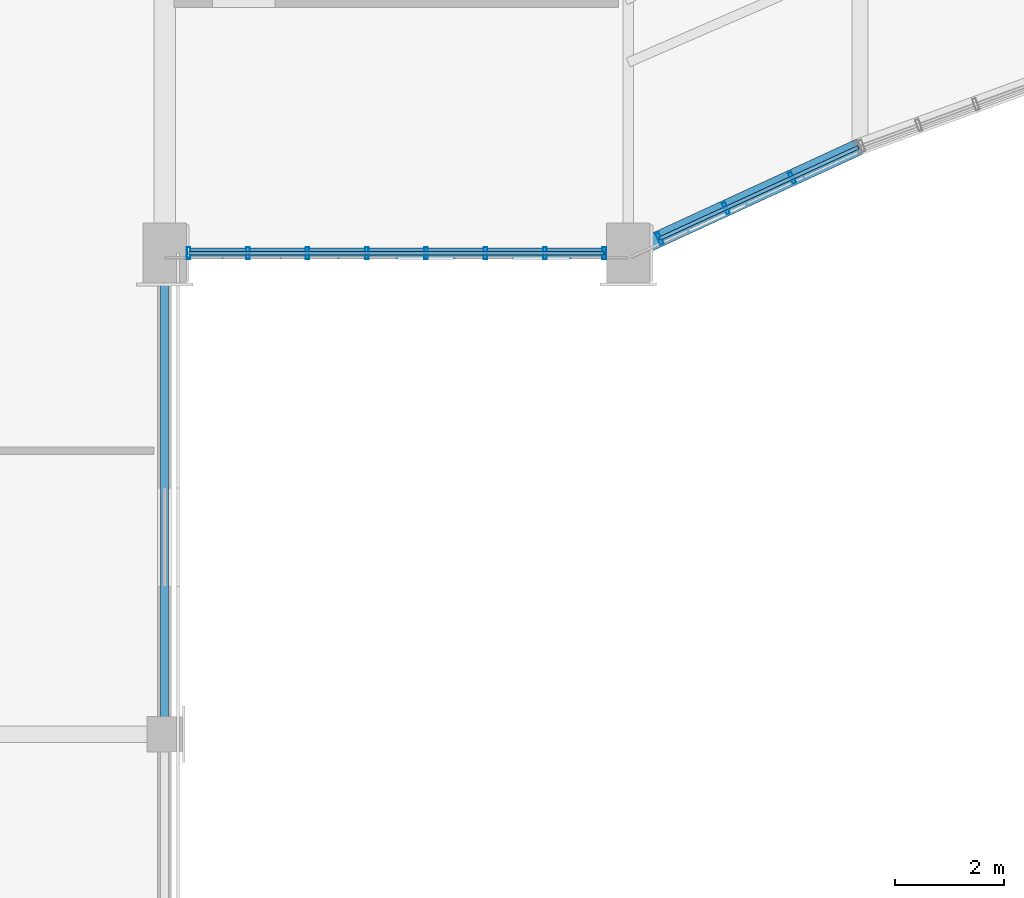
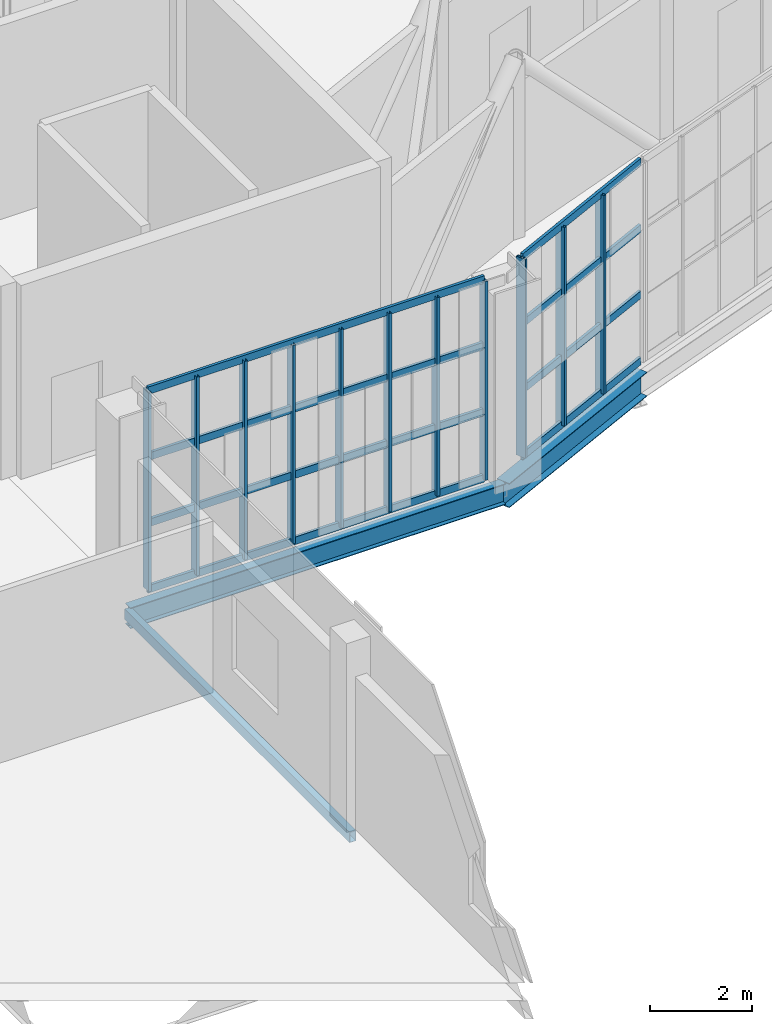
# One storey, part 16 of 66: 19 members, 3 beams, 2 elements without a shape of their own.
"""IFC4 building model written with IfcOpenShell, lengths in metres."""

from ifc_helpers import new_model, si_unit, direction, frame, origin, origin_2d, place, context, subcontext, project, spatial, hollow_rectangle, i_section, extrude, material, material_profile, profile_set, type_object, element, aggregate, save


model = new_model("IFC4")

# Units and contexts
model_context = context("Model", 3, precision=1e-05, world=origin(), true_north=direction((0.0, 1.0)))
body_context = subcontext(model_context, "Body", "Model", "MODEL_VIEW")
ifc_project = project(units=[si_unit("LENGTHUNIT", "METRE"), si_unit("AREAUNIT", "SQUARE_METRE"), si_unit("VOLUMEUNIT", "CUBIC_METRE"), si_unit("PLANEANGLEUNIT", "RADIAN"), si_unit("MASSUNIT", "GRAM", prefix="KILO")], contexts=[model_context])

# Site, building, storey
site_placement = place(None, origin())
site = spatial("IfcSite", under=ifc_project, at=site_placement, CompositionType="ELEMENT")
building_placement = place(site_placement, origin())
building = spatial("IfcBuilding", under=site, at=building_placement, Name="Solvikara Media Centre", CompositionType="ELEMENT")
storey_placement = place(building_placement, frame((0.0, 0.0, 19.800048828125)))
storey = spatial("IfcBuildingStorey", under=building, at=storey_placement, Name="L04", CompositionType="ELEMENT", Elevation=19.800048828125)

# Beams
ifc_material_1 = material(Name="Steel S355JR", Category="steel")
ifc_material_profile_1 = material_profile(ifc_material_1, i_section(OverallWidth=0.199951171875, OverallDepth=0.5, WebThickness=0.010009765625, FlangeThickness=0.01611328125, at=origin_2d()), Name="WF 500x200x10x16")
ifc_profile_set_1 = profile_set([ifc_material_profile_1], Name="Steel S355JR")
beam_type_1 = type_object("IfcBeamType", Name="BM-19", PredefinedType="BEAM", material=ifc_profile_set_1)
beam_1_placement = place(storey_placement, frame((68.0, 19.320068359375, -0.47216796875), z_axis=(1.0, 0.0, 0.0), x_axis=(0.0, 1.0, 0.0)))
element("IfcBeam", 1, at=beam_1_placement, inside=storey, type_object=beam_type_1, Name="B-L04-X1445", PredefinedType="BEAM", context=body_context, shape_type="SweptSolid", body=[
    extrude(i_section(OverallWidth=0.199951171875, OverallDepth=0.5, WebThickness=0.010009765625, FlangeThickness=0.01611328125, at=origin_2d()), origin(), (0.0, 0.0, 1.0), 8.5),
])
ifc_material_profile_2 = material_profile(ifc_material_1, i_section(OverallWidth=0.300048828125, OverallDepth=0.58203125, WebThickness=0.011962890625, FlangeThickness=0.01708984375, at=origin_2d()), Name="WF 582x300x12x17")
ifc_profile_set_2 = profile_set([ifc_material_profile_2], Name="Steel S355JR")
beam_type_2 = type_object("IfcBeamType", Name="BM-31", PredefinedType="SPANDREL", material=ifc_profile_set_2)
beam_2_placement = place(storey_placement, frame((76.5, 19.323974609375, -0.512939453125), z_axis=(0.908484112169, 0.417919391673, 0.0), x_axis=(-0.417919391673, 0.908484112169, 0.0)))
element("IfcBeam", 2, at=beam_2_placement, inside=storey, type_object=beam_type_2, Name="B-L04-SARC-00", PredefinedType="SPANDREL", context=body_context, shape_type="SweptSolid", body=[
    extrude(i_section(OverallWidth=0.300048828125, OverallDepth=0.58203125, WebThickness=0.011962890625, FlangeThickness=0.01708984375, at=origin_2d()), origin(), (0.0, 0.0, 1.0), 4.67822265625),
])
ifc_material_profile_3 = material_profile(ifc_material_1, hollow_rectangle(XDim=0.14990234375, YDim=0.25, WallThickness=0.008056640625, at=origin_2d()), Name="RHS 250x150x8")
ifc_profile_set_3 = profile_set([ifc_material_profile_3], Name="Steel S355JR")
beam_type_3 = type_object("IfcBeamType", Name="BM-36", PredefinedType="JOIST", material=ifc_profile_set_3)
beam_3_placement = place(storey_placement, frame((68.0, 10.5, -0.406982421875), z_axis=(0.0, 1.0, 0.0), x_axis=(-1.0, 0.0, 0.0)))
element("IfcBeam", 3, at=beam_3_placement, inside=storey, type_object=beam_type_3, Name="B-L04-Y1530", PredefinedType="JOIST", context=body_context, shape_type="SweptSolid", body=[
    extrude(hollow_rectangle(XDim=0.14990234375, YDim=0.25, WallThickness=0.008056640625, at=origin_2d()), origin(), (0.0, 0.0, 1.0), 8.823974609375),
])

# Curtain wall, members
ifc_material_2 = material(Name="Anodised aluminium EN AW-6063", Category="aluminium")
curtain_wall_type_1 = type_object("IfcCurtainWallType", Name="CW-01", PredefinedType="NOTDEFINED", material=ifc_material_2)
curtain_wall_1_placement = place(storey_placement, origin())
curtain_wall_1 = element("IfcCurtainWall", 4, at=curtain_wall_1_placement, inside=storey, type_object=curtain_wall_type_1, Name="CW-L04-SARC-00", PredefinedType="NOTDEFINED")
ifc_material_profile_4 = material_profile(ifc_material_2, hollow_rectangle(XDim=0.06494140625, YDim=0.219970703125, WallThickness=0.00390625, at=origin_2d()), Name="ALU-M 65x220x4")
ifc_profile_set_4 = profile_set([ifc_material_profile_4], Name="Anodised aluminium EN AW-6063")
member_type_1 = type_object("IfcMemberType", Name="MF-01", PredefinedType="MULLION", material=ifc_profile_set_4)
member_1_placement = place(storey_placement, frame((77.074951171875, 19.589111328125, 0.02001953125), z_axis=(0.0, 0.0, 1.0), x_axis=(0.908566513921, 0.417740218056, 0.0)))
member_1 = element("IfcMember", 5, at=member_1_placement, type_object=member_type_1, Name="CW-L04-SARC-00-M00", PredefinedType="MULLION", context=body_context, shape_type="SweptSolid", body=[
    extrude(hollow_rectangle(XDim=0.06494140625, YDim=0.219970703125, WallThickness=0.00390625, at=origin_2d()), origin(), (0.0, 0.0, 1.0), 4.760009765625),
])
member_2_placement = place(storey_placement, frame((78.2900390625, 20.14794921875, 0.02001953125), z_axis=(0.0, 0.0, 1.0), x_axis=(0.908566513921, 0.417740218056, 0.0)))
member_2 = element("IfcMember", 6, at=member_2_placement, type_object=member_type_1, Name="CW-L04-SARC-00-M01", PredefinedType="MULLION", context=body_context, shape_type="SweptSolid", body=[
    extrude(hollow_rectangle(XDim=0.06494140625, YDim=0.219970703125, WallThickness=0.00390625, at=origin_2d()), origin(), (0.0, 0.0, 1.0), 4.760009765625),
])
member_3_placement = place(storey_placement, frame((79.50390625, 20.7060546875, 0.02001953125), z_axis=(0.0, 0.0, 1.0), x_axis=(0.908566513921, 0.417740218056, 0.0)))
member_3 = element("IfcMember", 7, at=member_3_placement, type_object=member_type_1, Name="CW-L04-SARC-00-M02", PredefinedType="MULLION", context=body_context, shape_type="SweptSolid", body=[
    extrude(hollow_rectangle(XDim=0.06494140625, YDim=0.219970703125, WallThickness=0.00390625, at=origin_2d()), origin(), (0.0, 0.0, 1.0), 4.760009765625),
])

curtain_wall_type_2 = type_object("IfcCurtainWallType", Name="CW-10", PredefinedType="NOTDEFINED", material=ifc_material_2)
curtain_wall_2_placement = place(storey_placement, origin())
curtain_wall_2 = element("IfcCurtainWall", 8, at=curtain_wall_2_placement, inside=storey, type_object=curtain_wall_type_2, Name="CW-L04-BHWS", PredefinedType="NOTDEFINED")
member_4_placement = place(storey_placement, frame((68.43994140625, 19.323974609375, 0.02001953125), z_axis=(0.0, 0.0, 1.0), x_axis=(1.0, 0.0, 0.0)))
member_4 = element("IfcMember", 9, at=member_4_placement, type_object=member_type_1, Name="CW-L04-BHWS-M00", PredefinedType="MULLION", context=body_context, shape_type="SweptSolid", body=[
    extrude(hollow_rectangle(XDim=0.06494140625, YDim=0.219970703125, WallThickness=0.00390625, at=origin_2d()), origin(), (0.0, 0.0, 1.0), 4.760009765625),
])
member_5_placement = place(storey_placement, frame((69.529052734375, 19.323974609375, 0.02001953125), z_axis=(0.0, 0.0, 1.0), x_axis=(1.0, 0.0, 0.0)))
member_5 = element("IfcMember", 10, at=member_5_placement, type_object=member_type_1, Name="CW-L04-BHWS-M01", PredefinedType="MULLION", context=body_context, shape_type="SweptSolid", body=[
    extrude(hollow_rectangle(XDim=0.06494140625, YDim=0.219970703125, WallThickness=0.00390625, at=origin_2d()), origin(), (0.0, 0.0, 1.0), 4.760009765625),
])
member_6_placement = place(storey_placement, frame((70.616943359375, 19.323974609375, 0.02001953125), z_axis=(0.0, 0.0, 1.0), x_axis=(1.0, 0.0, 0.0)))
member_6 = element("IfcMember", 11, at=member_6_placement, type_object=member_type_1, Name="CW-L04-BHWS-M02", PredefinedType="MULLION", context=body_context, shape_type="SweptSolid", body=[
    extrude(hollow_rectangle(XDim=0.06494140625, YDim=0.219970703125, WallThickness=0.00390625, at=origin_2d()), origin(), (0.0, 0.0, 1.0), 4.760009765625),
])
member_7_placement = place(storey_placement, frame((71.7060546875, 19.323974609375, 0.02001953125), z_axis=(0.0, 0.0, 1.0), x_axis=(1.0, 0.0, 0.0)))
member_7 = element("IfcMember", 12, at=member_7_placement, type_object=member_type_1, Name="CW-L04-BHWS-M03", PredefinedType="MULLION", context=body_context, shape_type="SweptSolid", body=[
    extrude(hollow_rectangle(XDim=0.06494140625, YDim=0.219970703125, WallThickness=0.00390625, at=origin_2d()), origin(), (0.0, 0.0, 1.0), 4.760009765625),
])
member_8_placement = place(storey_placement, frame((72.7939453125, 19.323974609375, 0.02001953125), z_axis=(0.0, 0.0, 1.0), x_axis=(1.0, 0.0, 0.0)))
member_8 = element("IfcMember", 13, at=member_8_placement, type_object=member_type_1, Name="CW-L04-BHWS-M04", PredefinedType="MULLION", context=body_context, shape_type="SweptSolid", body=[
    extrude(hollow_rectangle(XDim=0.06494140625, YDim=0.219970703125, WallThickness=0.00390625, at=origin_2d()), origin(), (0.0, 0.0, 1.0), 4.760009765625),
])
member_9_placement = place(storey_placement, frame((73.883056640625, 19.323974609375, 0.02001953125), z_axis=(0.0, 0.0, 1.0), x_axis=(1.0, 0.0, 0.0)))
member_9 = element("IfcMember", 14, at=member_9_placement, type_object=member_type_1, Name="CW-L04-BHWS-M05", PredefinedType="MULLION", context=body_context, shape_type="SweptSolid", body=[
    extrude(hollow_rectangle(XDim=0.06494140625, YDim=0.219970703125, WallThickness=0.00390625, at=origin_2d()), origin(), (0.0, 0.0, 1.0), 4.760009765625),
])
member_10_placement = place(storey_placement, frame((74.970947265625, 19.323974609375, 0.02001953125), z_axis=(0.0, 0.0, 1.0), x_axis=(1.0, 0.0, 0.0)))
member_10 = element("IfcMember", 15, at=member_10_placement, type_object=member_type_1, Name="CW-L04-BHWS-M06", PredefinedType="MULLION", context=body_context, shape_type="SweptSolid", body=[
    extrude(hollow_rectangle(XDim=0.06494140625, YDim=0.219970703125, WallThickness=0.00390625, at=origin_2d()), origin(), (0.0, 0.0, 1.0), 4.760009765625),
])
member_11_placement = place(storey_placement, frame((76.06005859375, 19.323974609375, 0.02001953125), z_axis=(0.0, 0.0, 1.0), x_axis=(1.0, 0.0, 0.0)))
member_11 = element("IfcMember", 16, at=member_11_placement, type_object=member_type_1, Name="CW-L04-BHWS-M07", PredefinedType="MULLION", context=body_context, shape_type="SweptSolid", body=[
    extrude(hollow_rectangle(XDim=0.06494140625, YDim=0.219970703125, WallThickness=0.00390625, at=origin_2d()), origin(), (0.0, 0.0, 1.0), 4.760009765625),
])

# Member
ifc_material_profile_5 = material_profile(ifc_material_2, hollow_rectangle(XDim=0.06494140625, YDim=0.179931640625, WallThickness=0.00341796875, at=origin_2d()), Name="ALU-T 65x180x3.5")
ifc_profile_set_5 = profile_set([ifc_material_profile_5], Name="Anodised aluminium EN AW-6063")
member_type_2 = type_object("IfcMemberType", Name="MF-07", PredefinedType="USERDEFINED", material=ifc_profile_set_5)
member_12_placement = place(storey_placement, frame((77.074951171875, 19.589111328125, 0.02001953125), z_axis=(0.908585672428, 0.417698546633, 0.0), x_axis=(-0.417698546633, 0.908585672428, 0.0)))
member_12 = element("IfcMember", 17, at=member_12_placement, type_object=member_type_2, Name="CW-L04-SARC-00-T00", ObjectType="TRANSOM", PredefinedType="USERDEFINED", context=body_context, shape_type="SweptSolid", body=[
    extrude(hollow_rectangle(XDim=0.06494140625, YDim=0.179931640625, WallThickness=0.00341796875, at=origin_2d()), origin(), (0.0, 0.0, 1.0), 4.009521484375),
])

member_13_placement = place(storey_placement, frame((77.074951171875, 19.589111328125, 1.60693359375), z_axis=(0.908585672428, 0.417698546633, 0.0), x_axis=(-0.417698546633, 0.908585672428, 0.0)))
member_13 = element("IfcMember", 18, at=member_13_placement, type_object=member_type_2, Name="CW-L04-SARC-00-T01", ObjectType="TRANSOM", PredefinedType="USERDEFINED", context=body_context, shape_type="SweptSolid", body=[
    extrude(hollow_rectangle(XDim=0.06494140625, YDim=0.179931640625, WallThickness=0.00341796875, at=origin_2d()), origin(), (0.0, 0.0, 1.0), 4.009521484375),
])

member_14_placement = place(storey_placement, frame((77.074951171875, 19.589111328125, 3.19287109375), z_axis=(0.908585672428, 0.417698546633, 0.0), x_axis=(-0.417698546633, 0.908585672428, 0.0)))
member_14 = element("IfcMember", 19, at=member_14_placement, type_object=member_type_2, Name="CW-L04-SARC-00-T02", ObjectType="TRANSOM", PredefinedType="USERDEFINED", context=body_context, shape_type="SweptSolid", body=[
    extrude(hollow_rectangle(XDim=0.06494140625, YDim=0.179931640625, WallThickness=0.00341796875, at=origin_2d()), origin(), (0.0, 0.0, 1.0), 4.009521484375),
])

member_15_placement = place(storey_placement, frame((77.074951171875, 19.589111328125, 4.780029296875), z_axis=(0.908585672428, 0.417698546633, 0.0), x_axis=(-0.417698546633, 0.908585672428, 0.0)))
member_15 = element("IfcMember", 20, at=member_15_placement, type_object=member_type_2, Name="CW-L04-SARC-00-T03", ObjectType="TRANSOM", PredefinedType="USERDEFINED", context=body_context, shape_type="SweptSolid", body=[
    extrude(hollow_rectangle(XDim=0.06494140625, YDim=0.179931640625, WallThickness=0.00341796875, at=origin_2d()), origin(), (0.0, 0.0, 1.0), 4.009521484375),
])

aggregate(curtain_wall_1, [member_1, member_2, member_3, member_12, member_13, member_14, member_15])

member_16_placement = place(storey_placement, frame((68.43994140625, 19.323974609375, 0.02001953125), z_axis=(1.0, 0.0, 0.0), x_axis=(0.0, 1.0, 0.0)))
member_16 = element("IfcMember", 21, at=member_16_placement, type_object=member_type_2, Name="CW-L04-BHWS-T00", ObjectType="TRANSOM", PredefinedType="USERDEFINED", context=body_context, shape_type="SweptSolid", body=[
    extrude(hollow_rectangle(XDim=0.06494140625, YDim=0.179931640625, WallThickness=0.00341796875, at=origin_2d()), origin(), (0.0, 0.0, 1.0), 7.6201171875),
])

member_17_placement = place(storey_placement, frame((68.43994140625, 19.323974609375, 1.60693359375), z_axis=(1.0, 0.0, 0.0), x_axis=(0.0, 1.0, 0.0)))
member_17 = element("IfcMember", 22, at=member_17_placement, type_object=member_type_2, Name="CW-L04-BHWS-T01", ObjectType="TRANSOM", PredefinedType="USERDEFINED", context=body_context, shape_type="SweptSolid", body=[
    extrude(hollow_rectangle(XDim=0.06494140625, YDim=0.179931640625, WallThickness=0.00341796875, at=origin_2d()), origin(), (0.0, 0.0, 1.0), 7.6201171875),
])

member_18_placement = place(storey_placement, frame((68.43994140625, 19.323974609375, 3.19287109375), z_axis=(1.0, 0.0, 0.0), x_axis=(0.0, 1.0, 0.0)))
member_18 = element("IfcMember", 23, at=member_18_placement, type_object=member_type_2, Name="CW-L04-BHWS-T02", ObjectType="TRANSOM", PredefinedType="USERDEFINED", context=body_context, shape_type="SweptSolid", body=[
    extrude(hollow_rectangle(XDim=0.06494140625, YDim=0.179931640625, WallThickness=0.00341796875, at=origin_2d()), origin(), (0.0, 0.0, 1.0), 7.6201171875),
])

member_19_placement = place(storey_placement, frame((68.43994140625, 19.323974609375, 4.780029296875), z_axis=(1.0, 0.0, 0.0), x_axis=(0.0, 1.0, 0.0)))
member_19 = element("IfcMember", 24, at=member_19_placement, type_object=member_type_2, Name="CW-L04-BHWS-T03", ObjectType="TRANSOM", PredefinedType="USERDEFINED", context=body_context, shape_type="SweptSolid", body=[
    extrude(hollow_rectangle(XDim=0.06494140625, YDim=0.179931640625, WallThickness=0.00341796875, at=origin_2d()), origin(), (0.0, 0.0, 1.0), 7.6201171875),
])

aggregate(curtain_wall_2, [member_4, member_5, member_6, member_7, member_8, member_9, member_10, member_11, member_16, member_17, member_18, member_19])

save(model, "model.ifc")
